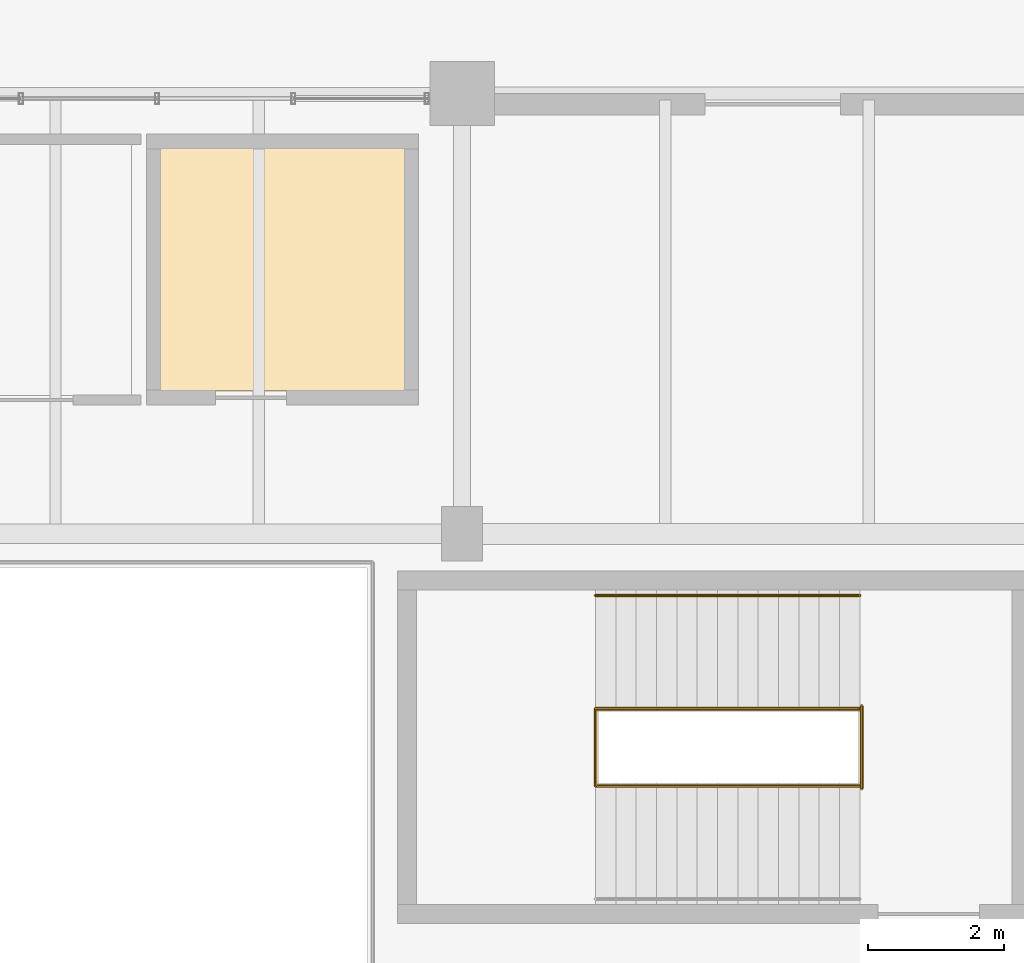
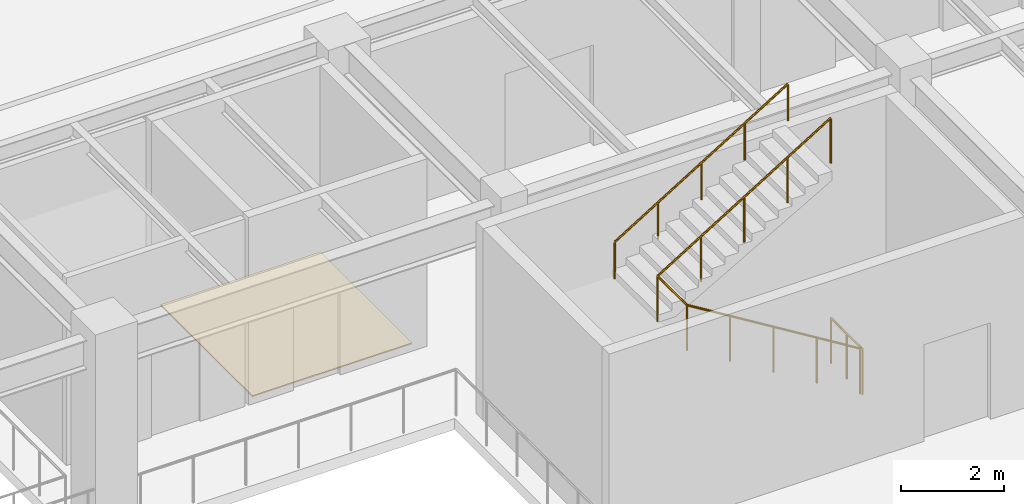
# One storey, part 194 of 200: 3 railings, 1 covering.
"""IFC4 building model written with IfcOpenShell, lengths in metres."""

from ifc_helpers import new_model, si_unit, direction, frame, origin, origin_2d, place, context, subcontext, project, spatial, polyline, circle, outline, extrude, material, layer, layer_set, type_object, element, save


model = new_model("IFC4")

# Units and contexts
model_context = context("Model", 3, precision=1e-05, world=origin(), true_north=direction((0.0, 1.0)))
body_context = subcontext(model_context, "Body", "Model", "MODEL_VIEW")
ifc_project = project(units=[si_unit("LENGTHUNIT", "METRE"), si_unit("AREAUNIT", "SQUARE_METRE"), si_unit("VOLUMEUNIT", "CUBIC_METRE"), si_unit("PLANEANGLEUNIT", "RADIAN"), si_unit("MASSUNIT", "GRAM", prefix="KILO"), si_unit("THERMODYNAMICTEMPERATUREUNIT", "KELVIN"), si_unit("POWERUNIT", "WATT")], contexts=[model_context])

# Site, building, storey
site_placement = place(None, origin())
site = spatial("IfcSite", under=ifc_project, at=site_placement, CompositionType="ELEMENT")
building_placement = place(site_placement, origin())
building = spatial("IfcBuilding", under=site, at=building_placement, Name="Tepalcoro Natatorium and Aquatics Centre", CompositionType="ELEMENT")
storey_placement = place(building_placement, frame((0.0, 0.0, 5.39990234375)))
storey = spatial("IfcBuildingStorey", under=building, at=storey_placement, Name="L01", CompositionType="ELEMENT", Elevation=5.39990234375)

# Covering
ifc_material_1 = material(Name="Polished Jalisco Basalt Aggregate Terrazzo Flooring", Category="masonry")
ifc_layer = layer(ifc_material_1, 0.028076171875)
ifc_layer_set = layer_set([ifc_layer], Name="Polished Jalisco Basalt Aggregate Terrazzo Flooring")
covering_type = type_object("IfcCoveringType", Name="FL_TERRAZZO_25", PredefinedType="FLOORING", material=ifc_layer_set)
covering_placement = place(storey_placement, origin())
element("IfcCovering", 1, at=covering_placement, inside=storey, type_object=covering_type, Name="Spectator Toilets & Accessible WC NE Floor Finish", PredefinedType="FLOORING", context=body_context, shape_type="SweptSolid", body=[
    extrude(outline(polyline([(111.550048828125, 61.110107421875), (111.550048828125, 64.68994140625), (115.14990234375, 64.68994140625), (115.14990234375, 61.110107421875), (111.550048828125, 61.110107421875)])), origin(), (0.0, 0.0, 1.0), 0.028076171875),
])

# Railings
ifc_material_2 = material(Name="Bronze-Anodised Extruded Aluminium Alloy EN AW-6063 T6", Category="aluminium")
railing_type_1 = type_object("IfcRailingType", Name="RL_HAND_900_BRZ", PredefinedType="HANDRAIL", material=ifc_material_2)
railing_1_placement = place(storey_placement, frame((117.969970703125, 58.090087890625, 2.400146484375)))
element("IfcRailing", 2, at=railing_1_placement, inside=storey, type_object=railing_type_1, Name="ST02-L01 Wall Handrail F2", PredefinedType="HANDRAIL", context=body_context, shape_type="SweptSolid", body=[
    extrude(circle(Radius=0.02392578125, at=origin_2d()), frame((0.0, 0.0, 0.8759765625), z_axis=(0.851676621109, 0.0, 0.524067679844), x_axis=(0.0, 1.0, 0.0)), (0.0, 0.0, 1.0), 4.579345703125),
    extrude(circle(Radius=0.02099609375, at=origin_2d()), origin(), (0.0, 0.0, 1.0), 0.851806640625),
    extrude(circle(Radius=0.02099609375, at=origin_2d()), frame((0.97509765625, 0.0, 0.60009765625)), (0.0, 0.0, 1.0), 0.851806640625),
    extrude(circle(Radius=0.02099609375, at=origin_2d()), frame((1.9501953125, 0.0, 1.199951171875)), (0.0, 0.0, 1.0), 0.851806640625),
    extrude(circle(Radius=0.02099609375, at=origin_2d()), frame((2.925048828125, 0.0, 1.7998046875)), (0.0, 0.0, 1.0), 0.851806640625),
    extrude(circle(Radius=0.02099609375, at=origin_2d()), frame((3.900146484375, 0.0, 2.39990234375)), (0.0, 0.0, 1.0), 0.851806640625),
])
ifc_material_3 = material(Name="Marine-Grade Brushed Stainless Steel AISI 316L", Category="steel")
railing_type_2 = type_object("IfcRailingType", Name="RL_SS_1100", PredefinedType="GUARDRAIL", material=ifc_material_3)
railing_2_placement = place(storey_placement, frame((121.8701171875, 55.280029296875, 0.0)))
element("IfcRailing", 3, at=railing_2_placement, inside=storey, type_object=railing_type_2, Name="ST02-L01 Inner Stairwell Guardrail", PredefinedType="GUARDRAIL", context=body_context, shape_type="SweptSolid", body=[
    extrude(circle(Radius=0.02392578125, at=origin_2d()), frame((0.0, 0.0, 1.076171875), z_axis=(-0.851652825334, 0.0, 0.524106349037), x_axis=(0.0, -1.0, 0.0)), (0.0, 0.0, 1.0), 4.57958984375),
    extrude(circle(Radius=0.02392578125, at=origin_2d()), frame((-3.900146484375, 0.0, 3.47607421875), z_axis=(0.0, 1.0, 0.0), x_axis=(-1.0, 0.0, 0.0)), (0.0, 0.0, 1.0), 1.139892578125),
    extrude(circle(Radius=0.02392578125, at=origin_2d()), frame((-3.900146484375, 1.139892578125, 3.47607421875), z_axis=(0.851676621109, 0.0, 0.524067679844), x_axis=(0.0, 1.0, 0.0)), (0.0, 0.0, 1.0), 4.579345703125),
    extrude(circle(Radius=0.02099609375, at=origin_2d()), origin(), (0.0, 0.0, 1.0), 1.052001953125),
    extrude(circle(Radius=0.02099609375, at=origin_2d()), frame((-0.97509765625, 0.0, 0.60009765625)), (0.0, 0.0, 1.0), 1.052001953125),
    extrude(circle(Radius=0.02099609375, at=origin_2d()), frame((-1.9501953125, 0.0, 1.2001953125)), (0.0, 0.0, 1.0), 1.052001953125),
    extrude(circle(Radius=0.02099609375, at=origin_2d()), frame((-2.925048828125, 0.0, 1.800048828125)), (0.0, 0.0, 1.0), 1.052001953125),
    extrude(circle(Radius=0.02099609375, at=origin_2d()), frame((-3.900146484375, 0.0, 2.400146484375)), (0.0, 0.0, 1.0), 1.052001953125),
    extrude(circle(Radius=0.02099609375, at=origin_2d()), frame((-3.900146484375, 1.139892578125, 2.400146484375)), (0.0, 0.0, 1.0), 1.052001953125),
    extrude(circle(Radius=0.02099609375, at=origin_2d()), frame((-2.925048828125, 1.139892578125, 3.0)), (0.0, 0.0, 1.0), 1.052001953125),
    extrude(circle(Radius=0.02099609375, at=origin_2d()), frame((-1.9501953125, 1.139892578125, 3.60009765625)), (0.0, 0.0, 1.0), 1.052001953125),
    extrude(circle(Radius=0.02099609375, at=origin_2d()), frame((-0.97509765625, 1.139892578125, 4.2001953125)), (0.0, 0.0, 1.0), 1.052001953125),
    extrude(circle(Radius=0.02099609375, at=origin_2d()), frame((0.0, 1.139892578125, 4.800048828125)), (0.0, 0.0, 1.0), 1.052001953125),
])
railing_3_placement = place(storey_placement, frame((121.89990234375, 55.239990234375, 0.0)))
element("IfcRailing", 4, at=railing_3_placement, inside=storey, type_object=railing_type_2, Name="ST02-L01 Landing Well Slot Guard", PredefinedType="GUARDRAIL", context=body_context, shape_type="SweptSolid", body=[
    extrude(circle(Radius=0.02392578125, at=origin_2d()), frame((0.0, 0.0, 1.076171875), z_axis=(0.0, 1.0, 0.0), x_axis=(-1.0, 0.0, 0.0)), (0.0, 0.0, 1.0), 1.219970703125),
    extrude(circle(Radius=0.02099609375, at=origin_2d()), origin(), (0.0, 0.0, 1.0), 1.052001953125),
    extrude(circle(Radius=0.02099609375, at=origin_2d()), frame((0.0, 0.60986328125, 0.0)), (0.0, 0.0, 1.0), 1.052001953125),
    extrude(circle(Radius=0.02099609375, at=origin_2d()), frame((0.0, 1.219970703125, 0.0)), (0.0, 0.0, 1.0), 1.052001953125),
])

save(model, "model.ifc")
